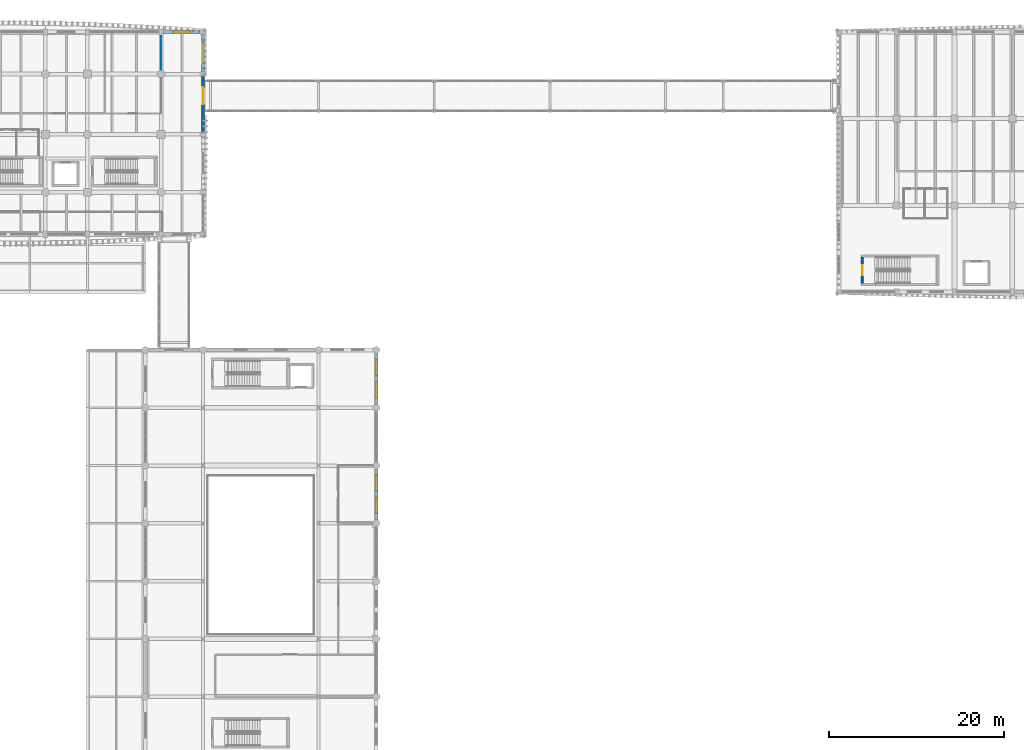
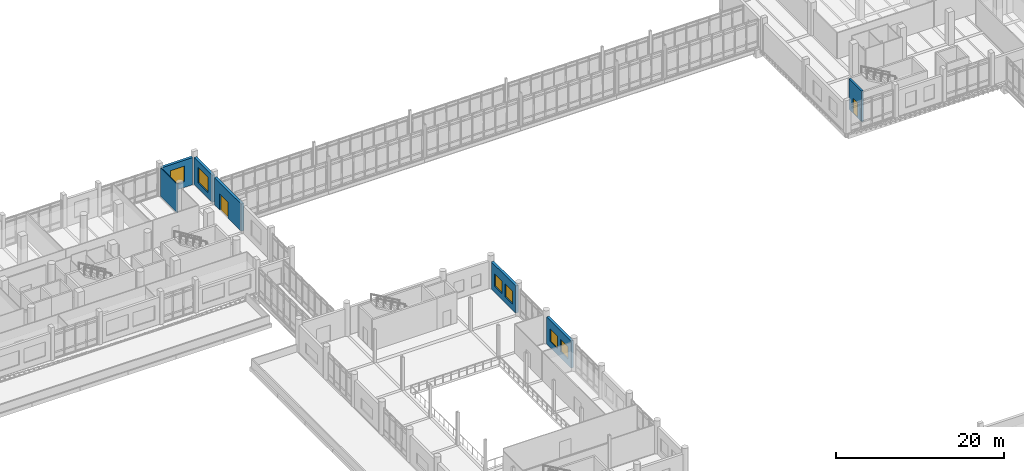
# One storey, part 93 of 125: 7 walls, 6 windows, 2 doors, 8 openings.
"""IFC4 building model written with IfcOpenShell, lengths in metres."""

from ifc_helpers import new_model, si_unit, direction, frame, frame_2d, origin, place, context, subcontext, project, spatial, rectangle, extrude, material, layer, layer_set, type_object, element, fill, save


model = new_model("IFC4")

# Units and contexts
model_context = context("Model", 3, precision=1e-05, world=origin(), true_north=direction((0.0, 1.0)))
body_context = subcontext(model_context, "Body", "Model", "MODEL_VIEW")
ifc_project = project(units=[si_unit("LENGTHUNIT", "METRE"), si_unit("AREAUNIT", "SQUARE_METRE"), si_unit("VOLUMEUNIT", "CUBIC_METRE"), si_unit("PLANEANGLEUNIT", "RADIAN"), si_unit("MASSUNIT", "GRAM", prefix="KILO")], contexts=[model_context])

# Site, building, storey
site_placement = place(None, origin())
site = spatial("IfcSite", under=ifc_project, at=site_placement, CompositionType="ELEMENT")
building_placement = place(site_placement, origin())
building = spatial("IfcBuilding", under=site, at=building_placement, Name="Dornvale Research Institute", CompositionType="ELEMENT")
storey_placement = place(building_placement, frame((0.0, 0.0, 5.39990234375)))
storey = spatial("IfcBuildingStorey", under=building, at=storey_placement, Name="L01", CompositionType="ELEMENT", Elevation=5.39990234375)

# Wall
ifc_material_1 = material(Name="Acoustic Insulated Double-Stud Laboratory Partition")
ifc_layer_1 = layer(ifc_material_1, 0.10009765625)
ifc_layer_set_1 = layer_set([ifc_layer_1], Name="Acoustic Insulated Double-Stud Laboratory Partition")
wall_type_1 = type_object("IfcWallType", Name="Partition_Office_100", PredefinedType="PARTITIONING", material=ifc_layer_set_1)
wall_1_placement = place(storey_placement, frame((41.39990234375, 117.77001953125, 0.0), z_axis=(0.0, 0.0, 1.0), x_axis=(0.0, 1.0, 0.0)))
element("IfcWall", 1, at=wall_1_placement, inside=storey, type_object=wall_type_1, Name="L01 V5 interior partition #172", PredefinedType="PARTITIONING", context=body_context, shape_type="SweptSolid", body=[
    extrude(rectangle(XDim=3.9599609375, YDim=0.10009765625, at=frame_2d((1.97998046875, 0.0))), origin(), (0.0, 0.0, 1.0), 4.130126953125),
])

# Wall, opening, door
ifc_material_2 = material(Name="Concrete f'c 45 MPa (C35/45)", Category="concrete")
ifc_layer_2 = layer(ifc_material_2, 0.25)
ifc_layer_set_2 = layer_set([ifc_layer_2], Name="Concrete f'c 45 MPa (C35/45)")
wall_type_2 = type_object("IfcWallType", Name="ShearWall_Core_250", PredefinedType="SHEAR", material=ifc_layer_set_2)
wall_2_placement = place(storey_placement, frame((121.47509765625, 93.39990234375, 0.0), z_axis=(0.0, 0.0, 1.0), x_axis=(0.0, 1.0, 0.0)))
wall_2 = element("IfcWall", 2, at=wall_2_placement, inside=storey, type_object=wall_type_2, Name="L01 ST-3 shaft shear wall west", PredefinedType="SHEAR", context=body_context, shape_type="SweptSolid", body=[
    extrude(rectangle(XDim=3.0, YDim=0.25, at=frame_2d((1.5, 0.0))), origin(), (0.0, 0.0, 1.0), 4.460205078125),
])
opening_1_placement = place(wall_2_placement, frame((0.93994140625, 0.0, 0.0)))
opening_1 = element("IfcOpeningElement", 3, at=opening_1_placement, cuts=wall_2, Name="Opening SD-01", PredefinedType="OPENING", context=body_context, shape_type="SweptSolid", body=[
    extrude(rectangle(XDim=1.1201171875, YDim=2.199951171875, at=frame_2d((0.56005859375, 1.10009765625))), frame((0.0, 0.139892578125, 0.0), z_axis=(0.0, -1.0, 0.0), x_axis=(1.0, 0.0, 0.0)), (0.0, 0.0, 1.0), 0.280029296875),
])
ifc_material_3 = material(Name="Insulated Fire-Rated Hollow Metal Door Assembly")
door_type_1 = type_object("IfcDoorType", Name="Door_Stair_1120x2200", OperationType="SINGLE_SWING_LEFT", PredefinedType="DOOR", material=ifc_material_3)
door_1_placement = place(opening_1_placement, origin())
door_1 = element("IfcDoor", 4, at=door_1_placement, inside=storey, type_object=door_type_1, Name="L01 ST-3 exit stair door #27", OperationType="SINGLE_SWING_LEFT", OverallHeight=2.199951171875, OverallWidth=1.1201171875, PredefinedType="DOOR", context=body_context, shape_type="SweptSolid", body=[
    extrude(rectangle(XDim=1.1201171875, YDim=2.199951171875, at=frame_2d((0.56005859375, 1.10009765625))), frame((0.0, 0.02490234375, 0.0), z_axis=(0.0, -1.0, 0.0), x_axis=(1.0, 0.0, 0.0)), (0.0, 0.0, 1.0), 0.050048828125),
])
fill(opening_1, door_1)

# Wall, openings, windows
ifc_material_4 = material(Name="Catalan Pressed Brick and Insulated Cavity Assembly", Category="masonry")
ifc_layer_3 = layer(ifc_material_4, 0.360107421875)
ifc_layer_set_3 = layer_set([ifc_layer_3], Name="Catalan Pressed Brick and Insulated Cavity Assembly")
wall_type_3 = type_object("IfcWallType", Name="StandardWall_BrickCavity_360", PredefinedType="STANDARD", material=ifc_layer_set_3)
wall_3_placement = place(storey_placement, frame((66.0, 85.405029296875, 0.0), z_axis=(0.0, 0.0, 1.0), x_axis=(0.0, -1.0, 0.0)))
wall_3 = element("IfcWall", 5, at=wall_3_placement, inside=storey, type_object=wall_type_3, Name="L01 V2 east exterior wall #73", PredefinedType="STANDARD", context=body_context, shape_type="SweptSolid", body=[
    extrude(rectangle(XDim=5.81005859375, YDim=0.360107421875, at=frame_2d((2.905029296875, 0.0))), origin(), (0.0, 0.0, 1.0), 3.9501953125),
])
opening_2_placement = place(wall_3_placement, frame((0.73681640625, 0.0, 0.85009765625)))
opening_2 = element("IfcOpeningElement", 6, at=opening_2_placement, cuts=wall_3, Name="Opening W-17", PredefinedType="OPENING", context=body_context, shape_type="SweptSolid", body=[
    extrude(rectangle(XDim=1.800048828125, YDim=1.860107421875, at=frame_2d((0.89990234375, 0.93017578125))), frame((0.0, 0.195068359375, 0.0), z_axis=(0.0, -1.0, 0.0), x_axis=(1.0, 0.0, 0.0)), (0.0, 0.0, 1.0), 0.39013671875),
])
opening_3_placement = place(wall_3_placement, frame((3.2734375, 0.0, 0.85009765625)))
opening_3 = element("IfcOpeningElement", 7, at=opening_3_placement, cuts=wall_3, Name="Opening W-17", PredefinedType="OPENING", context=body_context, shape_type="SweptSolid", body=[
    extrude(rectangle(XDim=1.800048828125, YDim=1.860107421875, at=frame_2d((0.89990234375, 0.93017578125))), frame((0.0, 0.195068359375, 0.0), z_axis=(0.0, -1.0, 0.0), x_axis=(1.0, 0.0, 0.0)), (0.0, 0.0, 1.0), 0.39013671875),
])
ifc_material_5 = material(Name="Low-E Argon Double Insulating Glazing Unit", Category="glass")
window_type_1 = type_object("IfcWindowType", Name="Window_Alu_1800x1860_17", PartitioningType="DOUBLE_PANEL_VERTICAL", PredefinedType="WINDOW", material=ifc_material_5)
window_1_placement = place(opening_2_placement, origin())
window_1 = element("IfcWindow", 8, at=window_1_placement, inside=storey, type_object=window_type_1, Name="L01 V2 facade window W-17 #88", OverallHeight=1.860107421875, OverallWidth=1.800048828125, PartitioningType="DOUBLE_PANEL_VERTICAL", PredefinedType="WINDOW", context=body_context, shape_type="SweptSolid", body=[
    extrude(rectangle(XDim=1.800048828125, YDim=1.860107421875, at=frame_2d((0.89990234375, 0.93017578125))), frame((0.0, 0.030029296875, 0.0), z_axis=(0.0, -1.0, 0.0), x_axis=(1.0, 0.0, 0.0)), (0.0, 0.0, 1.0), 0.06005859375),
])
fill(opening_2, window_1)
window_2_placement = place(opening_3_placement, origin())
window_2 = element("IfcWindow", 9, at=window_2_placement, inside=storey, type_object=window_type_1, Name="L01 V2 facade window W-17 #89", OverallHeight=1.860107421875, OverallWidth=1.800048828125, PartitioningType="DOUBLE_PANEL_VERTICAL", PredefinedType="WINDOW", context=body_context, shape_type="SweptSolid", body=[
    extrude(rectangle(XDim=1.800048828125, YDim=1.860107421875, at=frame_2d((0.89990234375, 0.93017578125))), frame((0.0, 0.030029296875, 0.0), z_axis=(0.0, -1.0, 0.0), x_axis=(1.0, 0.0, 0.0)), (0.0, 0.0, 1.0), 0.06005859375),
])
fill(opening_3, window_2)

wall_4_placement = place(storey_placement, frame((66.0, 72.205078125, 0.0), z_axis=(0.0, 0.0, 1.0), x_axis=(0.0, -1.0, 0.0)))
wall_4 = element("IfcWall", 10, at=wall_4_placement, inside=storey, type_object=wall_type_3, Name="L01 V2 east exterior wall #74", PredefinedType="STANDARD", context=body_context, shape_type="SweptSolid", body=[
    extrude(rectangle(XDim=5.81005859375, YDim=0.360107421875, at=frame_2d((2.905029296875, 0.0))), origin(), (0.0, 0.0, 1.0), 3.9501953125),
])
opening_4_placement = place(wall_4_placement, frame((0.73681640625, 0.0, 0.85009765625)))
opening_4 = element("IfcOpeningElement", 11, at=opening_4_placement, cuts=wall_4, Name="Opening W-17", PredefinedType="OPENING", context=body_context, shape_type="SweptSolid", body=[
    extrude(rectangle(XDim=1.800048828125, YDim=1.860107421875, at=frame_2d((0.89990234375, 0.93017578125))), frame((0.0, 0.195068359375, 0.0), z_axis=(0.0, -1.0, 0.0), x_axis=(1.0, 0.0, 0.0)), (0.0, 0.0, 1.0), 0.39013671875),
])
opening_5_placement = place(wall_4_placement, frame((3.2734375, 0.0, 0.85009765625)))
opening_5 = element("IfcOpeningElement", 12, at=opening_5_placement, cuts=wall_4, Name="Opening W-17", PredefinedType="OPENING", context=body_context, shape_type="SweptSolid", body=[
    extrude(rectangle(XDim=1.800048828125, YDim=1.860107421875, at=frame_2d((0.89990234375, 0.93017578125))), frame((0.0, 0.195068359375, 0.0), z_axis=(0.0, -1.0, 0.0), x_axis=(1.0, 0.0, 0.0)), (0.0, 0.0, 1.0), 0.39013671875),
])
window_3_placement = place(opening_4_placement, origin())
window_3 = element("IfcWindow", 13, at=window_3_placement, inside=storey, type_object=window_type_1, Name="L01 V2 facade window W-17 #90", OverallHeight=1.860107421875, OverallWidth=1.800048828125, PartitioningType="DOUBLE_PANEL_VERTICAL", PredefinedType="WINDOW", context=body_context, shape_type="SweptSolid", body=[
    extrude(rectangle(XDim=1.800048828125, YDim=1.860107421875, at=frame_2d((0.89990234375, 0.93017578125))), frame((0.0, 0.030029296875, 0.0), z_axis=(0.0, -1.0, 0.0), x_axis=(1.0, 0.0, 0.0)), (0.0, 0.0, 1.0), 0.06005859375),
])
fill(opening_4, window_3)
window_4_placement = place(opening_5_placement, origin())
window_4 = element("IfcWindow", 14, at=window_4_placement, inside=storey, type_object=window_type_1, Name="L01 V2 facade window W-17 #91", OverallHeight=1.860107421875, OverallWidth=1.800048828125, PartitioningType="DOUBLE_PANEL_VERTICAL", PredefinedType="WINDOW", context=body_context, shape_type="SweptSolid", body=[
    extrude(rectangle(XDim=1.800048828125, YDim=1.860107421875, at=frame_2d((0.89990234375, 0.93017578125))), frame((0.0, 0.030029296875, 0.0), z_axis=(0.0, -1.0, 0.0), x_axis=(1.0, 0.0, 0.0)), (0.0, 0.0, 1.0), 0.06005859375),
])
fill(opening_5, window_4)

# Wall, opening, window
wall_5_placement = place(storey_placement, frame((41.64990234375, 122.10009765625, 0.0), z_axis=(0.0, 0.0, 1.0), x_axis=(1.0, 0.0, 0.0)))
wall_5 = element("IfcWall", 15, at=wall_5_placement, inside=storey, type_object=wall_type_3, Name="L01 V5 north exterior wall #310", PredefinedType="STANDARD", context=body_context, shape_type="SweptSolid", body=[
    extrude(rectangle(XDim=4.2001953125, YDim=0.360107421875, at=frame_2d((2.10009765625, 0.0))), origin(), (0.0, 0.0, 1.0), 3.9501953125),
])
opening_6_placement = place(wall_5_placement, frame((1.125, 0.0, 0.85009765625)))
opening_6 = element("IfcOpeningElement", 16, at=opening_6_placement, cuts=wall_5, Name="Opening W-42", PredefinedType="OPENING", context=body_context, shape_type="SweptSolid", body=[
    extrude(rectangle(XDim=1.949951171875, YDim=2.239990234375, at=frame_2d((0.97509765625, 1.1201171875))), frame((0.0, 0.195068359375, 0.0), z_axis=(0.0, -1.0, 0.0), x_axis=(1.0, 0.0, 0.0)), (0.0, 0.0, 1.0), 0.39013671875),
])
ifc_material_6 = material(Name="Low-E Argon Double Insulating Glazing Unit", Category="glass")
window_type_2 = type_object("IfcWindowType", Name="Window_Alu_1950x2240_42", PartitioningType="DOUBLE_PANEL_VERTICAL", PredefinedType="WINDOW", material=ifc_material_6)
window_5_placement = place(opening_6_placement, origin())
window_5 = element("IfcWindow", 17, at=window_5_placement, inside=storey, type_object=window_type_2, Name="L01 V5 facade window W-42 #424", OverallHeight=2.239990234375, OverallWidth=1.949951171875, PartitioningType="DOUBLE_PANEL_VERTICAL", PredefinedType="WINDOW", context=body_context, shape_type="SweptSolid", body=[
    extrude(rectangle(XDim=1.949951171875, YDim=2.239990234375, at=frame_2d((0.97509765625, 1.1201171875))), frame((0.0, 0.030029296875, 0.0), z_axis=(0.0, -1.0, 0.0), x_axis=(1.0, 0.0, 0.0)), (0.0, 0.0, 1.0), 0.06005859375),
])
fill(opening_6, window_5)

wall_6_placement = place(storey_placement, frame((46.199951171875, 121.85009765625, 0.0), z_axis=(0.0, 0.0, 1.0), x_axis=(0.0, -1.0, 0.0)))
wall_6 = element("IfcWall", 18, at=wall_6_placement, inside=storey, type_object=wall_type_3, Name="L01 V5 east exterior wall #311", PredefinedType="STANDARD", context=body_context, shape_type="SweptSolid", body=[
    extrude(rectangle(XDim=4.300048828125, YDim=0.360107421875, at=frame_2d((2.14990234375, 0.0))), origin(), (0.0, 0.0, 1.0), 3.9501953125),
])
opening_7_placement = place(wall_6_placement, frame((0.949951171875, 0.0, 0.85009765625)))
opening_7 = element("IfcOpeningElement", 19, at=opening_7_placement, cuts=wall_6, Name="Opening W-45", PredefinedType="OPENING", context=body_context, shape_type="SweptSolid", body=[
    extrude(rectangle(XDim=2.39990234375, YDim=2.239990234375, at=frame_2d((1.199951171875, 1.1201171875))), frame((0.0, 0.195068359375, 0.0), z_axis=(0.0, -1.0, 0.0), x_axis=(1.0, 0.0, 0.0)), (0.0, 0.0, 1.0), 0.39013671875),
])
ifc_material_7 = material(Name="Low-E Argon Double Insulating Glazing Unit", Category="glass")
window_type_3 = type_object("IfcWindowType", Name="Window_Alu_2400x2240_45", PartitioningType="DOUBLE_PANEL_VERTICAL", PredefinedType="WINDOW", material=ifc_material_7)
window_6_placement = place(opening_7_placement, origin())
window_6 = element("IfcWindow", 20, at=window_6_placement, inside=storey, type_object=window_type_3, Name="L01 V5 facade window W-45 #425", OverallHeight=2.239990234375, OverallWidth=2.39990234375, PartitioningType="DOUBLE_PANEL_VERTICAL", PredefinedType="WINDOW", context=body_context, shape_type="SweptSolid", body=[
    extrude(rectangle(XDim=2.39990234375, YDim=2.239990234375, at=frame_2d((1.199951171875, 1.1201171875))), frame((0.0, 0.030029296875, 0.0), z_axis=(0.0, -1.0, 0.0), x_axis=(1.0, 0.0, 0.0)), (0.0, 0.0, 1.0), 0.06005859375),
])
fill(opening_7, window_6)

# Wall, opening, door
wall_7_placement = place(storey_placement, frame((46.199951171875, 117.050048828125, 0.0), z_axis=(0.0, 0.0, 1.0), x_axis=(0.0, -1.0, 0.0)))
wall_7 = element("IfcWall", 21, at=wall_7_placement, inside=storey, type_object=wall_type_3, Name="L01 V5 east exterior wall #312", PredefinedType="STANDARD", context=body_context, shape_type="SweptSolid", body=[
    extrude(rectangle(XDim=6.400146484375, YDim=0.360107421875, at=frame_2d((3.2001953125, 0.0))), origin(), (0.0, 0.0, 1.0), 3.9501953125),
])
opening_8_placement = place(wall_7_placement, frame((1.27490234375, 0.0, 0.0)))
opening_8 = element("IfcOpeningElement", 22, at=opening_8_placement, cuts=wall_7, Name="Opening BD-01", PredefinedType="OPENING", context=body_context, shape_type="SweptSolid", body=[
    extrude(rectangle(XDim=1.949951171875, YDim=2.35009765625, at=frame_2d((0.97509765625, 1.175048828125))), frame((0.0, 0.195068359375, 0.0), z_axis=(0.0, -1.0, 0.0), x_axis=(1.0, 0.0, 0.0)), (0.0, 0.0, 1.0), 0.39013671875),
])
ifc_material_8 = material(Name="Galvanized Hollow Metal Insulated Door Assembly")
door_type_2 = type_object("IfcDoorType", Name="Door_BridgeJoint_1950x2350", OperationType="SINGLE_SWING_LEFT", PredefinedType="DOOR", material=ifc_material_8)
door_2_placement = place(opening_8_placement, origin())
door_2 = element("IfcDoor", 23, at=door_2_placement, inside=storey, type_object=door_type_2, Name="L01 V5 skybridge door BD-01 #31", OperationType="DOUBLE_DOOR_SINGLE_SWING", OverallHeight=2.35009765625, OverallWidth=1.949951171875, PredefinedType="DOOR", context=body_context, shape_type="SweptSolid", body=[
    extrude(rectangle(XDim=1.949951171875, YDim=2.35009765625, at=frame_2d((0.97509765625, 1.175048828125))), frame((0.0, 0.02490234375, 0.0), z_axis=(0.0, -1.0, 0.0), x_axis=(1.0, 0.0, 0.0)), (0.0, 0.0, 1.0), 0.050048828125),
])
fill(opening_8, door_2)

save(model, "model.ifc")
